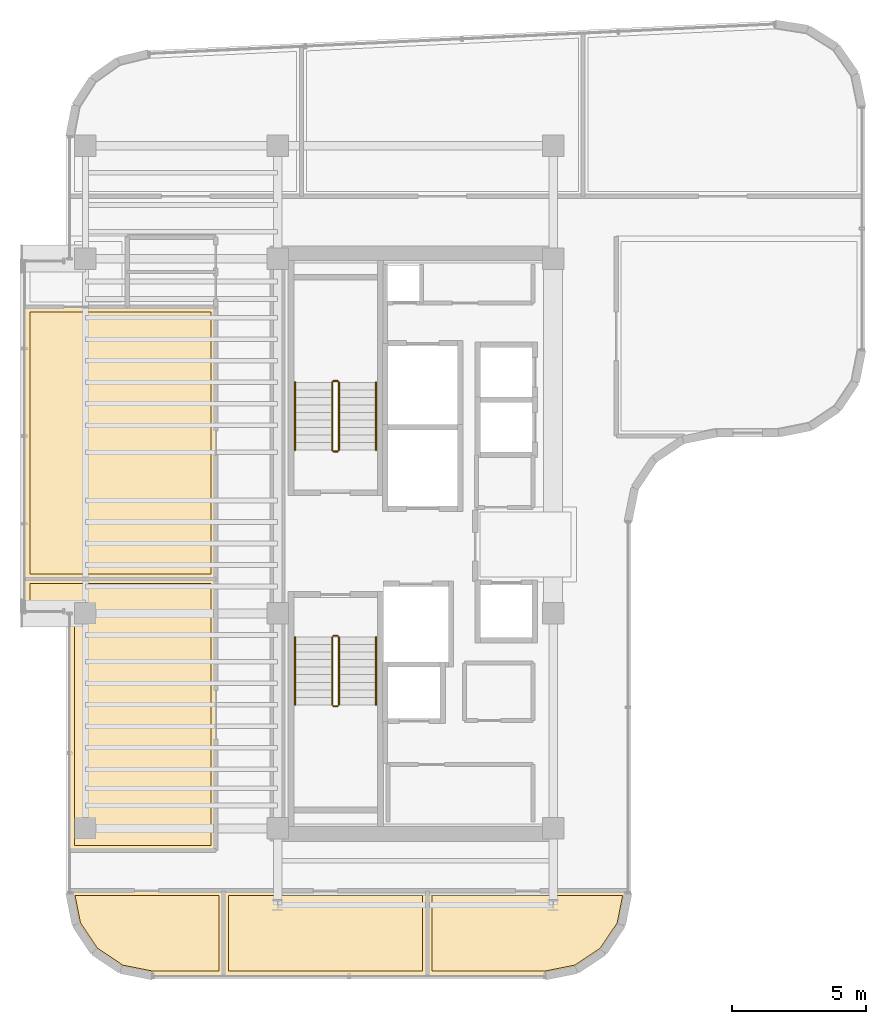
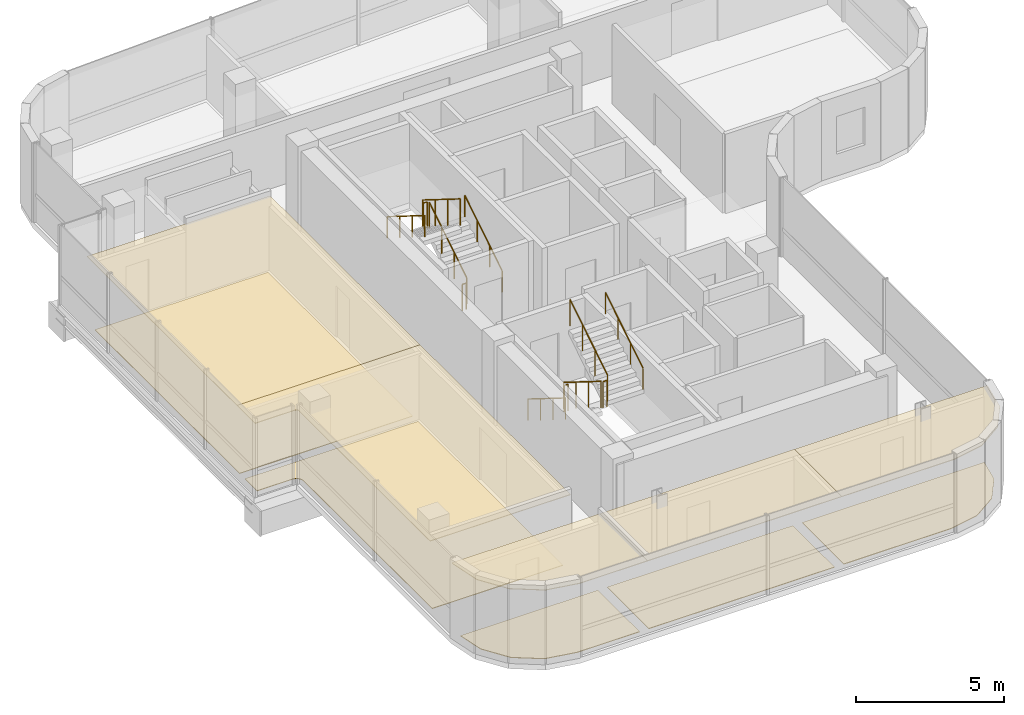
# One storey, part 17 of 18: 12 railings, 10 coverings.
"""IFC4 building model written with IfcOpenShell, lengths in metres."""

from ifc_helpers import new_model, si_unit, direction, frame, origin, origin_2d, place, context, subcontext, project, spatial, polyline, circle, outline, extrude, material, layer, layer_set, type_object, element, save


model = new_model("IFC4")

# Units and contexts
model_context = context("Model", 3, precision=1e-05, world=origin(), true_north=direction((0.0, 1.0)))
body_context = subcontext(model_context, "Body", "Model", "MODEL_VIEW")
ifc_project = project(units=[si_unit("LENGTHUNIT", "METRE"), si_unit("AREAUNIT", "SQUARE_METRE"), si_unit("VOLUMEUNIT", "CUBIC_METRE"), si_unit("PLANEANGLEUNIT", "RADIAN"), si_unit("MASSUNIT", "GRAM", prefix="KILO")], contexts=[model_context])

# Site, building, storey
site_placement = place(None, origin())
site = spatial("IfcSite", under=ifc_project, at=site_placement, CompositionType="ELEMENT")
building_placement = place(site_placement, origin())
building = spatial("IfcBuilding", under=site, at=building_placement, Name="Valdorenza Pilgrim Sanctuary Tower", CompositionType="ELEMENT")
storey_placement = place(building_placement, frame((0.0, 0.0, 276.5)))
storey = spatial("IfcBuildingStorey", under=building, at=storey_placement, Name="L72", CompositionType="ELEMENT", Elevation=276.5)

# Coverings
ifc_material_1 = material(Name="Micro-perforated acoustic mineral ceiling tile", Category="gypsum")
ifc_layer_1 = layer(ifc_material_1, 0.02490234375, Name="Micro-perforated acoustic mineral ceiling tile")
ifc_layer_set_1 = layer_set([ifc_layer_1], Name="Micro-perforated acoustic mineral ceiling tile")
covering_type_1 = type_object("IfcCoveringType", Name="COV-CLG-ACU", PredefinedType="CEILING", material=ifc_layer_set_1)
covering_1_placement = place(storey_placement, frame((0.0, 0.0, 2.9599609375)))
element("IfcCovering", 1, at=covering_1_placement, inside=storey, type_object=covering_type_1, Name="L72 Sacred Art Exhibition Gallery L72-W1 Acoustic Ceiling", PredefinedType="CEILING", context=body_context, shape_type="SweptSolid", body=[
    extrude(outline(polyline([(-24.93505859375, -11.419921875), (-24.93505859375, -11.42138671875), (-24.935302734375, -11.4228515625), (-24.935546875, -11.42431640625), (-24.93603515625, -11.42578125), (-24.936767578125, -11.427001953125), (-24.9375, -11.42822265625), (-24.9384765625, -11.429443359375), (-24.939453125, -11.4306640625), (-24.9404296875, -11.431640625), (-24.941650390625, -11.4326171875), (-24.94287109375, -11.43310546875), (-24.9443359375, -11.433837890625), (-24.945556640625, -11.434326171875), (-24.947021484375, -11.434814453125), (-24.948486328125, -11.434814453125), (-24.949951171875, -11.43505859375), (-30.389892578125, -11.43505859375), (-30.3916015625, -11.434814453125), (-30.392822265625, -11.434814453125), (-30.394287109375, -11.434326171875), (-30.395751953125, -11.433837890625), (-30.397216796875, -11.43310546875), (-30.398193359375, -11.4326171875), (-30.3994140625, -11.431640625), (-30.400634765625, -11.4306640625), (-30.401611328125, -11.429443359375), (-30.402587890625, -11.42822265625), (-30.4033203125, -11.427001953125), (-30.40380859375, -11.42578125), (-30.404296875, -11.42431640625), (-30.40478515625, -11.4228515625), (-30.40478515625, -11.42138671875), (-30.405029296875, -11.419921875), (-30.405029296875, -2.600341796875), (-30.405517578125, -2.5908203125), (-30.40673828125, -2.58154296875), (-30.4091796875, -2.572509765625), (-30.412109375, -2.563720703125), (-30.416259765625, -2.55517578125), (-30.4208984375, -2.547119140625), (-30.426513671875, -2.539794921875), (-30.432861328125, -2.53271484375), (-30.439697265625, -2.526611328125), (-30.447265625, -2.52099609375), (-30.455078125, -2.51611328125), (-30.463623046875, -2.51220703125), (-30.472412109375, -2.509033203125), (-30.4814453125, -2.5068359375), (-30.49072265625, -2.505615234375), (-30.50048828125, -2.5048828125), (-32.0400390625, -2.5048828125), (-32.04150390625, -2.5048828125), (-32.04296875, -2.504638671875), (-32.04443359375, -2.50439453125), (-32.045654296875, -2.50390625), (-32.047119140625, -2.503173828125), (-32.04833984375, -2.50244140625), (-32.049560546875, -2.501708984375), (-32.050537109375, -2.50048828125), (-32.051513671875, -2.49951171875), (-32.052490234375, -2.498291015625), (-32.05322265625, -2.4970703125), (-32.053955078125, -2.49560546875), (-32.054443359375, -2.494384765625), (-32.0546875, -2.492919921875), (-32.054931640625, -2.491455078125), (-32.054931640625, -2.489990234375), (-32.054931640625, -1.31005859375), (-32.054931640625, -1.30859375), (-32.0546875, -1.30712890625), (-32.054443359375, -1.3056640625), (-32.053955078125, -1.30419921875), (-32.05322265625, -1.302978515625), (-32.052490234375, -1.3017578125), (-32.051513671875, -1.300537109375), (-32.050537109375, -1.29931640625), (-32.049560546875, -1.29833984375), (-32.04833984375, -1.297607421875), (-32.047119140625, -1.296875), (-32.045654296875, -1.296142578125), (-32.04443359375, -1.295654296875), (-32.04296875, -1.29541015625), (-32.04150390625, -1.295166015625), (-32.0400390625, -1.294921875), (-24.949951171875, -1.294921875), (-24.948486328125, -1.295166015625), (-24.947021484375, -1.29541015625), (-24.945556640625, -1.295654296875), (-24.9443359375, -1.296142578125), (-24.94287109375, -1.296875), (-24.941650390625, -1.297607421875), (-24.9404296875, -1.29833984375), (-24.939453125, -1.29931640625), (-24.9384765625, -1.300537109375), (-24.9375, -1.3017578125), (-24.936767578125, -1.302978515625), (-24.93603515625, -1.30419921875), (-24.935546875, -1.3056640625), (-24.935302734375, -1.30712890625), (-24.93505859375, -1.30859375), (-24.93505859375, -1.31005859375), (-24.93505859375, -11.419921875)])), origin(), (0.0, 0.0, 1.0), 0.025146484375),
])
covering_2_placement = place(storey_placement, frame((0.0, 0.0, 2.9599609375)))
element("IfcCovering", 2, at=covering_2_placement, inside=storey, type_object=covering_type_1, Name="L72 Sacred Manuscript Archive L72-W2 Acoustic Ceiling", PredefinedType="CEILING", context=body_context, shape_type="SweptSolid", body=[
    extrude(outline(polyline([(-28.253662109375, 8.81298828125), (-28.253173828125, 8.81298828125), (-28.25146484375, 8.813232421875), (-28.25, 8.813232421875), (-28.24853515625, 8.81298828125), (-28.248291015625, 8.81298828125), (-24.949951171875, 8.81298828125), (-24.948486328125, 8.81298828125), (-24.947021484375, 8.812744140625), (-24.945556640625, 8.8125), (-24.9443359375, 8.81201171875), (-24.94287109375, 8.811279296875), (-24.941650390625, 8.810546875), (-24.9404296875, 8.8095703125), (-24.939453125, 8.80859375), (-24.9384765625, 8.8076171875), (-24.9375, 8.806396484375), (-24.936767578125, 8.80517578125), (-24.93603515625, 8.8037109375), (-24.935546875, 8.802490234375), (-24.935302734375, 8.80078125), (-24.93505859375, 8.799560546875), (-24.93505859375, 8.798095703125), (-24.93505859375, -1.30810546875), (-24.93505859375, -1.3095703125), (-24.935302734375, -1.310791015625), (-24.935546875, -1.3125), (-24.93603515625, -1.313720703125), (-24.936767578125, -1.315185546875), (-24.9375, -1.31640625), (-24.9384765625, -1.3173828125), (-24.939453125, -1.318603515625), (-24.9404296875, -1.319580078125), (-24.941650390625, -1.320556640625), (-24.94287109375, -1.3212890625), (-24.9443359375, -1.322021484375), (-24.945556640625, -1.322509765625), (-24.947021484375, -1.32275390625), (-24.948486328125, -1.322998046875), (-24.949951171875, -1.322998046875), (-32.0400390625, -1.322998046875), (-32.04150390625, -1.322998046875), (-32.04296875, -1.32275390625), (-32.04443359375, -1.322509765625), (-32.045654296875, -1.322021484375), (-32.047119140625, -1.3212890625), (-32.04833984375, -1.320556640625), (-32.049560546875, -1.319580078125), (-32.050537109375, -1.318603515625), (-32.051513671875, -1.3173828125), (-32.052490234375, -1.31640625), (-32.05322265625, -1.315185546875), (-32.053955078125, -1.313720703125), (-32.054443359375, -1.3125), (-32.0546875, -1.310791015625), (-32.054931640625, -1.3095703125), (-32.054931640625, -1.30810546875), (-32.054931640625, 8.798095703125), (-32.054931640625, 8.799560546875), (-32.0546875, 8.80078125), (-32.054443359375, 8.802490234375), (-32.053955078125, 8.8037109375), (-32.05322265625, 8.80517578125), (-32.052490234375, 8.806396484375), (-32.051513671875, 8.8076171875), (-32.050537109375, 8.80859375), (-32.049560546875, 8.8095703125), (-32.04833984375, 8.810546875), (-32.047119140625, 8.811279296875), (-32.045654296875, 8.81201171875), (-32.04443359375, 8.8125), (-32.04296875, 8.812744140625), (-32.04150390625, 8.81298828125), (-32.0400390625, 8.81298828125), (-28.253662109375, 8.81298828125)])), origin(), (0.0, 0.0, 1.0), 0.025146484375),
])
covering_3_placement = place(storey_placement, frame((0.0, 0.0, 2.9599609375)))
element("IfcCovering", 3, at=covering_3_placement, inside=storey, type_object=covering_type_1, Name="L72 Pilgrim Scholar Office L72-S1 Acoustic Ceiling", PredefinedType="CEILING", context=body_context, shape_type="SweptSolid", body=[
    extrude(outline(polyline([(-24.64501953125, -16.090087890625), (-24.64501953125, -16.091552734375), (-24.645263671875, -16.093017578125), (-24.6455078125, -16.094482421875), (-24.64599609375, -16.095703125), (-24.646728515625, -16.09716796875), (-24.6474609375, -16.098388671875), (-24.6484375, -16.099609375), (-24.6494140625, -16.1005859375), (-24.650390625, -16.1015625), (-24.651611328125, -16.1025390625), (-24.65283203125, -16.103271484375), (-24.654296875, -16.10400390625), (-24.655517578125, -16.1044921875), (-24.656982421875, -16.104736328125), (-24.658447265625, -16.10498046875), (-24.659912109375, -16.10498046875), (-27.289306640625, -16.10498046875), (-27.29052734375, -16.10498046875), (-27.2919921875, -16.104736328125), (-28.484619140625, -15.867431640625), (-28.486083984375, -15.8671875), (-28.4873046875, -15.86669921875), (-28.48876953125, -15.865966796875), (-28.489990234375, -15.865234375), (-29.49169921875, -15.19580078125), (-29.492919921875, -15.195068359375), (-29.493896484375, -15.194091796875), (-29.4951171875, -15.19287109375), (-29.495849609375, -15.191650390625), (-30.165283203125, -14.18994140625), (-30.166015625, -14.188720703125), (-30.16650390625, -14.1875), (-30.1669921875, -14.18603515625), (-30.16748046875, -14.1845703125), (-30.40478515625, -12.9921875), (-30.40478515625, -12.990478515625), (-30.405029296875, -12.9892578125), (-30.405029296875, -12.919921875), (-30.40478515625, -12.91845703125), (-30.40478515625, -12.9169921875), (-30.404296875, -12.91552734375), (-30.40380859375, -12.914306640625), (-30.4033203125, -12.912841796875), (-30.402587890625, -12.91162109375), (-30.401611328125, -12.910400390625), (-30.400634765625, -12.909423828125), (-30.3994140625, -12.908447265625), (-30.398193359375, -12.907470703125), (-30.397216796875, -12.90673828125), (-30.395751953125, -12.906005859375), (-30.394287109375, -12.905517578125), (-30.392822265625, -12.9052734375), (-30.3916015625, -12.905029296875), (-30.389892578125, -12.905029296875), (-24.659912109375, -12.905029296875), (-24.658447265625, -12.905029296875), (-24.656982421875, -12.9052734375), (-24.655517578125, -12.905517578125), (-24.654296875, -12.906005859375), (-24.65283203125, -12.90673828125), (-24.651611328125, -12.907470703125), (-24.650390625, -12.908447265625), (-24.6494140625, -12.909423828125), (-24.6484375, -12.910400390625), (-24.6474609375, -12.91162109375), (-24.646728515625, -12.912841796875), (-24.64599609375, -12.914306640625), (-24.6455078125, -12.91552734375), (-24.645263671875, -12.9169921875), (-24.64501953125, -12.91845703125), (-24.64501953125, -12.919921875), (-24.64501953125, -16.090087890625)])), origin(), (0.0, 0.0, 1.0), 0.025146484375),
])
covering_4_placement = place(storey_placement, frame((0.0, 0.0, 2.9599609375)))
element("IfcCovering", 4, at=covering_4_placement, inside=storey, type_object=covering_type_1, Name="L72 Pilgrim Scholar Office L72-S2 Acoustic Ceiling", PredefinedType="CEILING", context=body_context, shape_type="SweptSolid", body=[
    extrude(outline(polyline([(-17.080078125, -12.905029296875), (-17.07861328125, -12.905029296875), (-17.0771484375, -12.9052734375), (-17.07568359375, -12.905517578125), (-17.07421875, -12.906005859375), (-17.072998046875, -12.90673828125), (-17.07177734375, -12.907470703125), (-17.070556640625, -12.908447265625), (-17.0693359375, -12.909423828125), (-17.068359375, -12.910400390625), (-17.0673828125, -12.91162109375), (-17.06689453125, -12.912841796875), (-17.066162109375, -12.914306640625), (-17.065673828125, -12.91552734375), (-17.065185546875, -12.9169921875), (-17.065185546875, -12.91845703125), (-17.06494140625, -12.919921875), (-17.06494140625, -16.090087890625), (-17.065185546875, -16.091552734375), (-17.065185546875, -16.093017578125), (-17.065673828125, -16.094482421875), (-17.066162109375, -16.095703125), (-17.06689453125, -16.09716796875), (-17.0673828125, -16.098388671875), (-17.068359375, -16.099609375), (-17.0693359375, -16.1005859375), (-17.070556640625, -16.1015625), (-17.07177734375, -16.1025390625), (-17.072998046875, -16.103271484375), (-17.07421875, -16.10400390625), (-17.07568359375, -16.1044921875), (-17.0771484375, -16.104736328125), (-17.07861328125, -16.10498046875), (-17.080078125, -16.10498046875), (-24.657958984375, -16.10498046875), (-24.659423828125, -16.10498046875), (-24.660888671875, -16.104736328125), (-24.662353515625, -16.1044921875), (-24.663818359375, -16.10400390625), (-24.6650390625, -16.103271484375), (-24.666259765625, -16.1025390625), (-24.66748046875, -16.1015625), (-24.668701171875, -16.1005859375), (-24.669677734375, -16.099609375), (-24.67041015625, -16.098388671875), (-24.671142578125, -16.09716796875), (-24.671875, -16.095703125), (-24.67236328125, -16.094482421875), (-24.672607421875, -16.093017578125), (-24.6728515625, -16.091552734375), (-24.673095703125, -16.090087890625), (-24.673095703125, -12.919921875), (-24.6728515625, -12.91845703125), (-24.672607421875, -12.9169921875), (-24.67236328125, -12.91552734375), (-24.671875, -12.914306640625), (-24.671142578125, -12.912841796875), (-24.67041015625, -12.91162109375), (-24.669677734375, -12.910400390625), (-24.668701171875, -12.909423828125), (-24.66748046875, -12.908447265625), (-24.666259765625, -12.907470703125), (-24.6650390625, -12.90673828125), (-24.663818359375, -12.906005859375), (-24.662353515625, -12.905517578125), (-24.660888671875, -12.9052734375), (-24.659423828125, -12.905029296875), (-24.657958984375, -12.905029296875), (-17.080078125, -12.905029296875)])), origin(), (0.0, 0.0, 1.0), 0.025146484375),
])
covering_5_placement = place(storey_placement, frame((0.0, 0.0, 2.9599609375)))
element("IfcCovering", 5, at=covering_5_placement, inside=storey, type_object=covering_type_1, Name="L72 Pilgrim Scholar Office L72-S3 Acoustic Ceiling", PredefinedType="CEILING", context=body_context, shape_type="SweptSolid", body=[
    extrude(outline(polyline([(-9.610107421875, -12.905029296875), (-9.6083984375, -12.905029296875), (-9.607177734375, -12.9052734375), (-9.605712890625, -12.905517578125), (-9.604248046875, -12.906005859375), (-9.602783203125, -12.90673828125), (-9.601806640625, -12.907470703125), (-9.6005859375, -12.908447265625), (-9.599365234375, -12.909423828125), (-9.598388671875, -12.910400390625), (-9.597412109375, -12.91162109375), (-9.5966796875, -12.912841796875), (-9.59619140625, -12.914306640625), (-9.595703125, -12.91552734375), (-9.59521484375, -12.9169921875), (-9.59521484375, -12.91845703125), (-9.594970703125, -12.919921875), (-9.594970703125, -12.9892578125), (-9.59521484375, -12.990478515625), (-9.59521484375, -12.9921875), (-9.83251953125, -14.1845703125), (-9.8330078125, -14.18603515625), (-9.83349609375, -14.1875), (-9.833984375, -14.188720703125), (-9.834716796875, -14.18994140625), (-10.504150390625, -15.191650390625), (-10.5048828125, -15.19287109375), (-10.506103515625, -15.194091796875), (-10.507080078125, -15.195068359375), (-10.50830078125, -15.19580078125), (-11.510009765625, -15.865234375), (-11.51123046875, -15.865966796875), (-11.5126953125, -15.86669921875), (-11.513916015625, -15.8671875), (-11.515380859375, -15.867431640625), (-12.7080078125, -16.104736328125), (-12.70947265625, -16.10498046875), (-12.710693359375, -16.10498046875), (-17.077880859375, -16.10498046875), (-17.07958984375, -16.10498046875), (-17.080810546875, -16.104736328125), (-17.08251953125, -16.1044921875), (-17.083740234375, -16.10400390625), (-17.085205078125, -16.103271484375), (-17.086181640625, -16.1025390625), (-17.08740234375, -16.1015625), (-17.088623046875, -16.1005859375), (-17.089599609375, -16.099609375), (-17.090576171875, -16.098388671875), (-17.09130859375, -16.09716796875), (-17.091796875, -16.095703125), (-17.09228515625, -16.094482421875), (-17.0927734375, -16.093017578125), (-17.093017578125, -16.091552734375), (-17.093017578125, -16.090087890625), (-17.093017578125, -12.919921875), (-17.093017578125, -12.91845703125), (-17.0927734375, -12.9169921875), (-17.09228515625, -12.91552734375), (-17.091796875, -12.914306640625), (-17.09130859375, -12.912841796875), (-17.090576171875, -12.91162109375), (-17.089599609375, -12.910400390625), (-17.088623046875, -12.909423828125), (-17.08740234375, -12.908447265625), (-17.086181640625, -12.907470703125), (-17.085205078125, -12.90673828125), (-17.083740234375, -12.906005859375), (-17.08251953125, -12.905517578125), (-17.080810546875, -12.9052734375), (-17.07958984375, -12.905029296875), (-17.077880859375, -12.905029296875), (-9.610107421875, -12.905029296875)])), origin(), (0.0, 0.0, 1.0), 0.025146484375),
])
ifc_material_2 = material(Name="Honed travertine stone flooring", Category="masonry")
ifc_layer_2 = layer(ifc_material_2, 0.030029296875, Name="Honed travertine stone flooring")
ifc_layer_set_2 = layer_set([ifc_layer_2], Name="Honed travertine stone flooring")
covering_type_2 = type_object("IfcCoveringType", Name="COV-FLR-TRV", PredefinedType="FLOORING", material=ifc_layer_set_2)
covering_6_placement = place(storey_placement, origin())
element("IfcCovering", 6, at=covering_6_placement, inside=storey, type_object=covering_type_2, Name="L72 Sacred Art Exhibition Gallery L72-W1 Flooring", PredefinedType="FLOORING", context=body_context, shape_type="SweptSolid", body=[
    extrude(outline(polyline([(-25.1298828125, -11.239990234375), (-30.2099609375, -11.239990234375), (-30.2099609375, -2.60009765625), (-30.210205078125, -2.59130859375), (-30.210693359375, -2.580322265625), (-30.21240234375, -2.562744140625), (-30.214111328125, -2.552001953125), (-30.217529296875, -2.534912109375), (-30.22021484375, -2.5244140625), (-30.225341796875, -2.50732421875), (-30.22900390625, -2.497314453125), (-30.235595703125, -2.48095703125), (-30.240234375, -2.47119140625), (-30.24853515625, -2.45556640625), (-30.254150390625, -2.4462890625), (-30.263916015625, -2.431640625), (-30.2705078125, -2.423095703125), (-30.281494140625, -2.4091796875), (-30.288818359375, -2.4013671875), (-30.30126953125, -2.388916015625), (-30.309326171875, -2.381591796875), (-30.322998046875, -2.370361328125), (-30.331787109375, -2.364013671875), (-30.34619140625, -2.35400390625), (-30.355712890625, -2.3486328125), (-30.37109375, -2.34033203125), (-30.380859375, -2.335693359375), (-30.397216796875, -2.328857421875), (-30.407470703125, -2.3251953125), (-30.42431640625, -2.320068359375), (-30.434814453125, -2.3173828125), (-30.4521484375, -2.314208984375), (-30.462890625, -2.3125), (-30.48046875, -2.310791015625), (-30.4912109375, -2.310302734375), (-30.5, -2.31005859375), (-31.860107421875, -2.31005859375), (-31.860107421875, -1.489990234375), (-25.1298828125, -1.489990234375), (-25.1298828125, -11.239990234375)])), origin(), (0.0, 0.0, 1.0), 0.02490234375),
])
covering_7_placement = place(storey_placement, origin())
element("IfcCovering", 7, at=covering_7_placement, inside=storey, type_object=covering_type_2, Name="L72 Sacred Manuscript Archive L72-W2 Flooring", PredefinedType="FLOORING", context=body_context, shape_type="SweptSolid", body=[
    extrude(outline(polyline([(-28.250244140625, 8.617919921875), (-28.25, 8.617919921875), (-25.1298828125, 8.617919921875), (-25.1298828125, -1.1279296875), (-31.860107421875, -1.1279296875), (-31.860107421875, 8.617919921875), (-28.251953125, 8.617919921875), (-28.2509765625, 8.617919921875), (-28.250244140625, 8.617919921875)])), origin(), (0.0, 0.0, 1.0), 0.02490234375),
])
covering_8_placement = place(storey_placement, origin())
element("IfcCovering", 8, at=covering_8_placement, inside=storey, type_object=covering_type_2, Name="L72 Pilgrim Scholar Office L72-S1 Flooring", PredefinedType="FLOORING", context=body_context, shape_type="SweptSolid", body=[
    extrude(outline(polyline([(-30.184326171875, -13.10009765625), (-24.840087890625, -13.10009765625), (-24.840087890625, -15.909912109375), (-27.271484375, -15.909912109375), (-28.411376953125, -15.68310546875), (-29.353515625, -15.0537109375), (-29.983154296875, -14.111328125), (-30.184326171875, -13.10009765625)])), origin(), (0.0, 0.0, 1.0), 0.02490234375),
])
covering_9_placement = place(storey_placement, origin())
element("IfcCovering", 9, at=covering_9_placement, inside=storey, type_object=covering_type_2, Name="L72 Pilgrim Scholar Office L72-S2 Flooring", PredefinedType="FLOORING", context=body_context, shape_type="SweptSolid", body=[
    extrude(outline(polyline([(-17.260009765625, -13.10009765625), (-17.260009765625, -15.909912109375), (-24.47802734375, -15.909912109375), (-24.47802734375, -13.10009765625), (-17.260009765625, -13.10009765625)])), origin(), (0.0, 0.0, 1.0), 0.02490234375),
])
covering_10_placement = place(storey_placement, origin())
element("IfcCovering", 10, at=covering_10_placement, inside=storey, type_object=covering_type_2, Name="L72 Pilgrim Scholar Office L72-S3 Flooring", PredefinedType="FLOORING", context=body_context, shape_type="SweptSolid", body=[
    extrude(outline(polyline([(-9.815673828125, -13.10009765625), (-10.016845703125, -14.111328125), (-10.646484375, -15.0537109375), (-11.588623046875, -15.68310546875), (-12.728515625, -15.909912109375), (-16.89794921875, -15.909912109375), (-16.89794921875, -13.10009765625), (-9.815673828125, -13.10009765625)])), origin(), (0.0, 0.0, 1.0), 0.02490234375),
])

# Railings
ifc_material_3 = material(Name="Stainless steel Grade 316", Category="steel")
railing_type_1 = type_object("IfcRailingType", Name="RLG-GRD-1120", PredefinedType="GUARDRAIL", material=ifc_material_3)
railing_1_placement = place(storey_placement, frame((-20.3701171875, 3.47998046875, 0.175048828125)))
element("IfcRailing", 11, at=railing_1_placement, inside=storey, type_object=railing_type_1, Name="L72 ST-A1 stair guard 1", PredefinedType="GUARDRAIL", context=body_context, shape_type="SweptSolid", body=[
    extrude(circle(Radius=0.02392578125, at=origin_2d()), frame((0.0, 0.0, 1.076171875), z_axis=(0.0, 0.848007534815, 0.529984170421), x_axis=(-1.0, 0.0, 0.0)), (0.0, 0.0, 1.0), 2.9716796875),
    extrude(circle(Radius=0.02099609375, at=origin_2d()), origin(), (0.0, 0.0, 1.0), 1.052001953125),
    extrude(circle(Radius=0.02099609375, at=origin_2d()), frame((0.0, 0.840087890625, 0.52490234375)), (0.0, 0.0, 1.0), 1.052001953125),
    extrude(circle(Radius=0.02099609375, at=origin_2d()), frame((0.0, 1.679931640625, 1.050048828125)), (0.0, 0.0, 1.0), 1.052001953125),
    extrude(circle(Radius=0.02099609375, at=origin_2d()), frame((0.0, 2.52001953125, 1.574951171875)), (0.0, 0.0, 1.0), 1.052001953125),
])
railing_2_placement = place(storey_placement, frame((-20.419921875, 6.050048828125, 1.75)))
element("IfcRailing", 12, at=railing_2_placement, inside=storey, type_object=railing_type_1, Name="L72 ST-A1 stair guard 2", PredefinedType="GUARDRAIL", context=body_context, shape_type="SweptSolid", body=[
    extrude(circle(Radius=0.02392578125, at=origin_2d()), frame((0.0, 0.0, 1.076171875), z_axis=(-1.0, 0.0, 0.0), x_axis=(0.0, -1.0, 0.0)), (0.0, 0.0, 1.0), 0.150146484375),
    extrude(circle(Radius=0.02099609375, at=origin_2d()), origin(), (0.0, 0.0, 1.0), 1.052001953125),
    extrude(circle(Radius=0.02099609375, at=origin_2d()), frame((-0.150146484375, 0.0, 0.0)), (0.0, 0.0, 1.0), 1.052001953125),
])
railing_3_placement = place(storey_placement, frame((-20.6201171875, 6.0, 1.925048828125)))
element("IfcRailing", 13, at=railing_3_placement, inside=storey, type_object=railing_type_1, Name="L72 ST-A1 stair guard 3", PredefinedType="GUARDRAIL", context=body_context, shape_type="SweptSolid", body=[
    extrude(circle(Radius=0.02392578125, at=origin_2d()), frame((0.0, 0.0, 1.076171875), z_axis=(0.0, -0.848007534815, 0.529984170421), x_axis=(1.0, 0.0, 0.0)), (0.0, 0.0, 1.0), 2.9716796875),
    extrude(circle(Radius=0.02099609375, at=origin_2d()), origin(), (0.0, 0.0, 1.0), 1.052001953125),
    extrude(circle(Radius=0.02099609375, at=origin_2d()), frame((0.0, -0.840087890625, 0.52490234375)), (0.0, 0.0, 1.0), 1.052001953125),
    extrude(circle(Radius=0.02099609375, at=origin_2d()), frame((0.0, -1.679931640625, 1.050048828125)), (0.0, 0.0, 1.0), 1.052001953125),
    extrude(circle(Radius=0.02099609375, at=origin_2d()), frame((0.0, -2.52001953125, 1.574951171875)), (0.0, 0.0, 1.0), 1.052001953125),
])
railing_4_placement = place(storey_placement, frame((-20.419921875, 3.429931640625, 0.0)))
element("IfcRailing", 14, at=railing_4_placement, inside=storey, type_object=railing_type_1, Name="L72 ST-A1 stair guard 4", PredefinedType="GUARDRAIL", context=body_context, shape_type="SweptSolid", body=[
    extrude(circle(Radius=0.02392578125, at=origin_2d()), frame((0.0, 0.0, 1.076171875), z_axis=(-1.0, 0.0, 0.0), x_axis=(0.0, -1.0, 0.0)), (0.0, 0.0, 1.0), 0.150146484375),
    extrude(circle(Radius=0.02099609375, at=origin_2d()), origin(), (0.0, 0.0, 1.0), 1.052001953125),
    extrude(circle(Radius=0.02099609375, at=origin_2d()), frame((-0.150146484375, 0.0, 0.0)), (0.0, 0.0, 1.0), 1.052001953125),
])
railing_5_placement = place(storey_placement, frame((-20.6201171875, -3.47998046875, 0.175048828125)))
element("IfcRailing", 15, at=railing_5_placement, inside=storey, type_object=railing_type_1, Name="L72 ST-A2 stair guard 1", PredefinedType="GUARDRAIL", context=body_context, shape_type="SweptSolid", body=[
    extrude(circle(Radius=0.02392578125, at=origin_2d()), frame((0.0, 0.0, 1.076171875), z_axis=(0.0, -0.848007534815, 0.529984170421), x_axis=(1.0, 0.0, 0.0)), (0.0, 0.0, 1.0), 2.9716796875),
    extrude(circle(Radius=0.02099609375, at=origin_2d()), origin(), (0.0, 0.0, 1.0), 1.052001953125),
    extrude(circle(Radius=0.02099609375, at=origin_2d()), frame((0.0, -0.840087890625, 0.52490234375)), (0.0, 0.0, 1.0), 1.052001953125),
    extrude(circle(Radius=0.02099609375, at=origin_2d()), frame((0.0, -1.679931640625, 1.050048828125)), (0.0, 0.0, 1.0), 1.052001953125),
    extrude(circle(Radius=0.02099609375, at=origin_2d()), frame((0.0, -2.52001953125, 1.574951171875)), (0.0, 0.0, 1.0), 1.052001953125),
])
railing_6_placement = place(storey_placement, frame((-20.570068359375, -6.050048828125, 1.75)))
element("IfcRailing", 16, at=railing_6_placement, inside=storey, type_object=railing_type_1, Name="L72 ST-A2 stair guard 2", PredefinedType="GUARDRAIL", context=body_context, shape_type="SweptSolid", body=[
    extrude(circle(Radius=0.02392578125, at=origin_2d()), frame((0.0, 0.0, 1.076171875), z_axis=(1.0, 0.0, 0.0), x_axis=(0.0, 1.0, 0.0)), (0.0, 0.0, 1.0), 0.150146484375),
    extrude(circle(Radius=0.02099609375, at=origin_2d()), origin(), (0.0, 0.0, 1.0), 1.052001953125),
    extrude(circle(Radius=0.02099609375, at=origin_2d()), frame((0.150146484375, 0.0, 0.0)), (0.0, 0.0, 1.0), 1.052001953125),
])
railing_7_placement = place(storey_placement, frame((-20.3701171875, -6.0, 1.925048828125)))
element("IfcRailing", 17, at=railing_7_placement, inside=storey, type_object=railing_type_1, Name="L72 ST-A2 stair guard 3", PredefinedType="GUARDRAIL", context=body_context, shape_type="SweptSolid", body=[
    extrude(circle(Radius=0.02392578125, at=origin_2d()), frame((0.0, 0.0, 1.076171875), z_axis=(0.0, 0.848007534815, 0.529984170421), x_axis=(-1.0, 0.0, 0.0)), (0.0, 0.0, 1.0), 2.9716796875),
    extrude(circle(Radius=0.02099609375, at=origin_2d()), origin(), (0.0, 0.0, 1.0), 1.052001953125),
    extrude(circle(Radius=0.02099609375, at=origin_2d()), frame((0.0, 0.840087890625, 0.52490234375)), (0.0, 0.0, 1.0), 1.052001953125),
    extrude(circle(Radius=0.02099609375, at=origin_2d()), frame((0.0, 1.679931640625, 1.050048828125)), (0.0, 0.0, 1.0), 1.052001953125),
    extrude(circle(Radius=0.02099609375, at=origin_2d()), frame((0.0, 2.52001953125, 1.574951171875)), (0.0, 0.0, 1.0), 1.052001953125),
])
railing_8_placement = place(storey_placement, frame((-20.570068359375, -3.429931640625, 0.0)))
element("IfcRailing", 18, at=railing_8_placement, inside=storey, type_object=railing_type_1, Name="L72 ST-A2 stair guard 4", PredefinedType="GUARDRAIL", context=body_context, shape_type="SweptSolid", body=[
    extrude(circle(Radius=0.02392578125, at=origin_2d()), frame((0.0, 0.0, 1.076171875), z_axis=(1.0, 0.0, 0.0), x_axis=(0.0, 1.0, 0.0)), (0.0, 0.0, 1.0), 0.150146484375),
    extrude(circle(Radius=0.02099609375, at=origin_2d()), origin(), (0.0, 0.0, 1.0), 1.052001953125),
    extrude(circle(Radius=0.02099609375, at=origin_2d()), frame((0.150146484375, 0.0, 0.0)), (0.0, 0.0, 1.0), 1.052001953125),
])
ifc_material_4 = material(Name="Brushed stainless steel Grade 316", Category="steel")
railing_type_2 = type_object("IfcRailingType", Name="RLG-HND-920", PredefinedType="HANDRAIL", material=ifc_material_4)
railing_9_placement = place(storey_placement, frame((-18.989990234375, 3.47998046875, 0.175048828125)))
element("IfcRailing", 19, at=railing_9_placement, inside=storey, type_object=railing_type_2, Name="L72 ST-A1 stair handrail 1", PredefinedType="HANDRAIL", context=body_context, shape_type="SweptSolid", body=[
    extrude(circle(Radius=0.02392578125, at=origin_2d()), frame((0.0, 0.0, 0.8759765625), z_axis=(0.0, 0.848007534815, 0.529984170421), x_axis=(-1.0, 0.0, 0.0)), (0.0, 0.0, 1.0), 2.9716796875),
    extrude(circle(Radius=0.02099609375, at=origin_2d()), origin(), (0.0, 0.0, 1.0), 0.851806640625),
    extrude(circle(Radius=0.02099609375, at=origin_2d()), frame((0.0, 0.840087890625, 0.52490234375)), (0.0, 0.0, 1.0), 0.851806640625),
    extrude(circle(Radius=0.02099609375, at=origin_2d()), frame((0.0, 1.679931640625, 1.050048828125)), (0.0, 0.0, 1.0), 0.851806640625),
    extrude(circle(Radius=0.02099609375, at=origin_2d()), frame((0.0, 2.52001953125, 1.574951171875)), (0.0, 0.0, 1.0), 0.851806640625),
])
for number, where, name in (
    (20, (-22.0, 6.0, 1.925048828125), "L72 ST-A1 stair handrail 2"),
    (21, (-22.0, -3.47998046875, 0.175048828125), "L72 ST-A2 stair handrail 1"),
):
    element("IfcRailing", number, at=place(storey_placement, frame(where)), inside=storey, type_object=railing_type_2, Name=name, PredefinedType="HANDRAIL", context=body_context, shape_type="SweptSolid", body=[
        extrude(circle(Radius=0.02392578125, at=origin_2d()), frame((0.0, 0.0, 0.8759765625), z_axis=(0.0, -0.848007534815, 0.529984170421), x_axis=(1.0, 0.0, 0.0)), (0.0, 0.0, 1.0), 2.9716796875),
        extrude(circle(Radius=0.02099609375, at=origin_2d()), origin(), (0.0, 0.0, 1.0), 0.851806640625),
        extrude(circle(Radius=0.02099609375, at=origin_2d()), frame((0.0, -0.840087890625, 0.52490234375)), (0.0, 0.0, 1.0), 0.851806640625),
        extrude(circle(Radius=0.02099609375, at=origin_2d()), frame((0.0, -1.679931640625, 1.050048828125)), (0.0, 0.0, 1.0), 0.851806640625),
        extrude(circle(Radius=0.02099609375, at=origin_2d()), frame((0.0, -2.52001953125, 1.574951171875)), (0.0, 0.0, 1.0), 0.851806640625),
    ])
railing_10_placement = place(storey_placement, frame((-18.989990234375, -6.0, 1.925048828125)))
element("IfcRailing", 22, at=railing_10_placement, inside=storey, type_object=railing_type_2, Name="L72 ST-A2 stair handrail 2", PredefinedType="HANDRAIL", context=body_context, shape_type="SweptSolid", body=[
    extrude(circle(Radius=0.02392578125, at=origin_2d()), frame((0.0, 0.0, 0.8759765625), z_axis=(0.0, 0.848007534815, 0.529984170421), x_axis=(-1.0, 0.0, 0.0)), (0.0, 0.0, 1.0), 2.9716796875),
    extrude(circle(Radius=0.02099609375, at=origin_2d()), origin(), (0.0, 0.0, 1.0), 0.851806640625),
    extrude(circle(Radius=0.02099609375, at=origin_2d()), frame((0.0, 0.840087890625, 0.52490234375)), (0.0, 0.0, 1.0), 0.851806640625),
    extrude(circle(Radius=0.02099609375, at=origin_2d()), frame((0.0, 1.679931640625, 1.050048828125)), (0.0, 0.0, 1.0), 0.851806640625),
    extrude(circle(Radius=0.02099609375, at=origin_2d()), frame((0.0, 2.52001953125, 1.574951171875)), (0.0, 0.0, 1.0), 0.851806640625),
])

save(model, "model.ifc")
